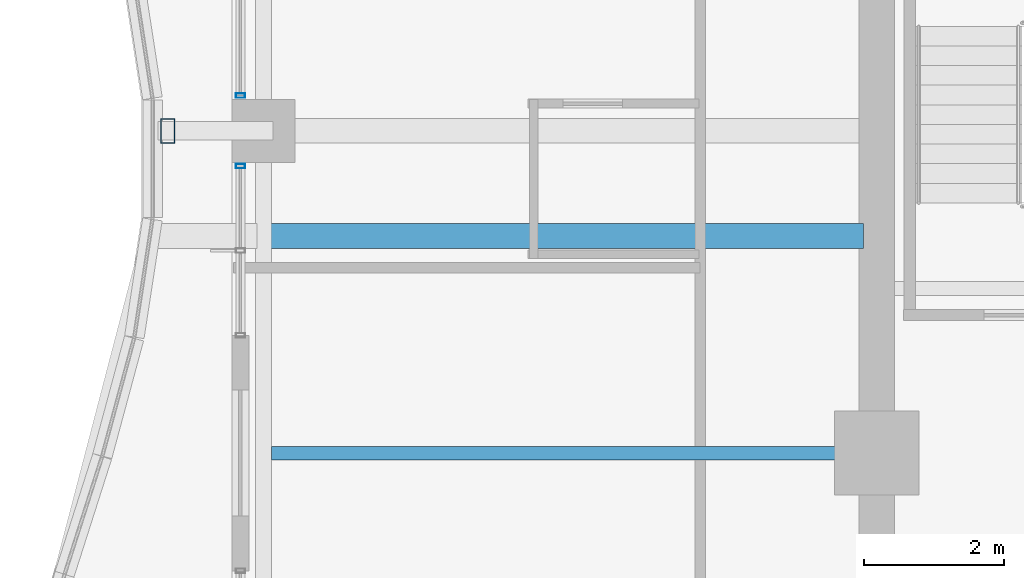
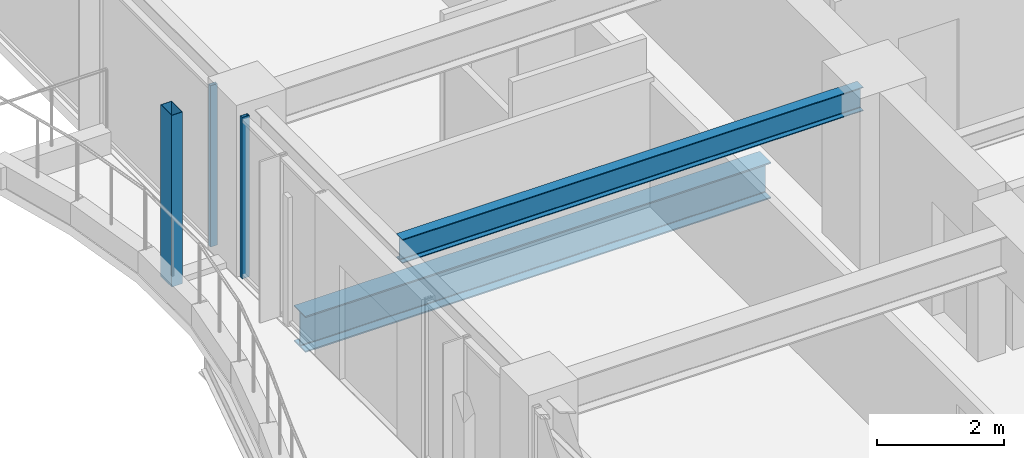
# One storey, part 11 of 35: 3 members, 2 beams, 2 elements without a shape of their own.
"""IFC4 building model written with IfcOpenShell, lengths in metres."""

from ifc_helpers import new_model, si_unit, direction, frame, origin, origin_2d, place, context, subcontext, project, spatial, hollow_rectangle, i_section, extrude, material, material_profile, profile_set, type_object, element, aggregate, save


model = new_model("IFC4")

# Units and contexts
model_context = context("Model", 3, precision=1e-05, world=origin(), true_north=direction((0.0, 1.0)))
body_context = subcontext(model_context, "Body", "Model", "MODEL_VIEW")
ifc_project = project(units=[si_unit("LENGTHUNIT", "METRE"), si_unit("AREAUNIT", "SQUARE_METRE"), si_unit("VOLUMEUNIT", "CUBIC_METRE"), si_unit("PLANEANGLEUNIT", "RADIAN"), si_unit("MASSUNIT", "GRAM", prefix="KILO")], contexts=[model_context])

# Site, building, storey
site_placement = place(None, origin())
site = spatial("IfcSite", under=ifc_project, at=site_placement, CompositionType="ELEMENT")
building_placement = place(site_placement, origin())
building = spatial("IfcBuilding", under=site, at=building_placement, Name="Kolvaren Belvedere", CompositionType="ELEMENT")
storey_placement = place(building_placement, frame((0.0, 0.0, 163.5)))
storey = spatial("IfcBuildingStorey", under=building, at=storey_placement, Name="L47", CompositionType="ELEMENT", Elevation=163.5)

# Beams
ifc_material_1 = material(Name="Structural steel ASTM A992 Grade 50", Category="steel")
ifc_material_profile_1 = material_profile(ifc_material_1, i_section(OverallWidth=0.35498046875, OverallDepth=0.696044921875, WebThickness=0.015380859375, FlangeThickness=0.02490234375, FilletRadius=0.02197265625, at=origin_2d()), Name="W27X146")
ifc_profile_set_1 = profile_set([ifc_material_profile_1], Name="Structural steel ASTM A992 Grade 50")
beam_type_1 = type_object("IfcBeamType", Name="BM-GIRD-W27X146", PredefinedType="BEAM", material=ifc_profile_set_1)
beam_1_placement = place(storey_placement, frame((-10.090087890625, 3.10009765625, -0.548095703125), z_axis=(-1.0, 0.0, 0.0), x_axis=(0.0, -1.0, 0.0)))
element("IfcBeam", 1, at=beam_1_placement, inside=storey, type_object=beam_type_1, Name="L47 Balcony Interior Back-Span Girder BAL-W-2", PredefinedType="BEAM", context=body_context, shape_type="SweptSolid", body=[
    extrude(i_section(OverallWidth=0.35498046875, OverallDepth=0.696044921875, WebThickness=0.015380859375, FlangeThickness=0.02490234375, FilletRadius=0.02197265625, at=origin_2d()), origin(), (0.0, 0.0, 1.0), 8.46484375),
])
ifc_material_2 = material(Name="Structural steel ASTM A992 Grade 50", Category="steel")
ifc_material_profile_2 = material_profile(ifc_material_2, i_section(OverallWidth=0.19091796875, OverallDepth=0.4599609375, WebThickness=0.010009765625, FlangeThickness=0.01611328125, FilletRadius=0.014892578125, at=origin_2d()), Name="W18X55")
ifc_profile_set_2 = profile_set([ifc_material_profile_2], Name="Structural steel ASTM A992 Grade 50")
beam_type_2 = type_object("IfcBeamType", Name="BM-JOIST-W18X55", PredefinedType="BEAM", material=ifc_profile_set_2)
beam_2_placement = place(storey_placement, frame((-10.14990234375, 0.0, 2.8701171875), z_axis=(-1.0, 0.0, 0.0), x_axis=(0.0, -1.0, 0.0)))
element("IfcBeam", 2, at=beam_2_placement, inside=storey, type_object=beam_type_2, Name="L47 West Centre Floor Beam", PredefinedType="BEAM", context=body_context, shape_type="SweptSolid", body=[
    extrude(i_section(OverallWidth=0.19091796875, OverallDepth=0.4599609375, WebThickness=0.010009765625, FlangeThickness=0.01611328125, FilletRadius=0.014892578125, at=origin_2d()), origin(), (0.0, 0.0, 1.0), 8.385498046875),
])

# Curtain wall, member
ifc_material_3 = material(Name="Anodised pale-metal aluminium AA 6063-T6", Category="aluminium")
curtain_wall_type = type_object("IfcCurtainWallType", Name="CW-Z3-WAIST", PredefinedType="NOTDEFINED", material=ifc_material_3)
curtain_wall_1_placement = place(storey_placement, origin())
curtain_wall_1 = element("IfcCurtainWall", 3, at=curtain_wall_1_placement, inside=storey, type_object=curtain_wall_type, Name="L47 Unitised Curtain Wall FCW-L47-W2-B1", PredefinedType="NOTDEFINED")
ifc_material_4 = material(Name="Anodised pale-metal aluminium AA 6063-T6", Category="aluminium")
ifc_material_profile_3 = material_profile(ifc_material_4, hollow_rectangle(XDim=0.06494140625, YDim=0.1298828125, WallThickness=0.00390625, at=origin_2d()), Name="ALU-MUL-130X65")
ifc_profile_set_3 = profile_set([ifc_material_profile_3], Name="Anodised pale-metal aluminium AA 6063-T6")
member_type_1 = type_object("IfcMemberType", Name="CW-MUL-130", PredefinedType="MULLION", material=ifc_profile_set_3)
member_1_placement = place(storey_placement, frame((-18.97998046875, 4.097412109375, 0.0), z_axis=(0.0, 0.0, 1.0), x_axis=(0.0, 1.0, 0.0)))
member_1 = element("IfcMember", 4, at=member_1_placement, type_object=member_type_1, Name="FCW-L47-W2-B1 Unitised Mullion 3", PredefinedType="MULLION", context=body_context, shape_type="SweptSolid", body=[
    extrude(hollow_rectangle(XDim=0.06494140625, YDim=0.1298828125, WallThickness=0.00390625, at=origin_2d()), origin(), (0.0, 0.0, 1.0), 3.10009765625),
])
aggregate(curtain_wall_1, [member_1])

curtain_wall_2_placement = place(storey_placement, origin())
curtain_wall_2 = element("IfcCurtainWall", 5, at=curtain_wall_2_placement, inside=storey, type_object=curtain_wall_type, Name="L47 Unitised Curtain Wall FCW-L47-W2-B2", PredefinedType="NOTDEFINED")
member_2_placement = place(storey_placement, frame((-18.97998046875, 5.1025390625, 0.0), z_axis=(0.0, 0.0, 1.0), x_axis=(0.0, 1.0, 0.0)))
member_2 = element("IfcMember", 6, at=member_2_placement, type_object=member_type_1, Name="FCW-L47-W2-B2 Unitised Mullion 1", PredefinedType="MULLION", context=body_context, shape_type="SweptSolid", body=[
    extrude(hollow_rectangle(XDim=0.06494140625, YDim=0.1298828125, WallThickness=0.00390625, at=origin_2d()), origin(), (0.0, 0.0, 1.0), 3.10009765625),
])
aggregate(curtain_wall_2, [member_2])

# Member
ifc_material_5 = material(Name="Anodised pale-metal aluminium AA 6063-T6", Category="aluminium")
ifc_material_profile_4 = material_profile(ifc_material_5, hollow_rectangle(XDim=0.199951171875, YDim=0.35009765625, WallThickness=0.007568359375, at=origin_2d()), Name="ALU-PF-350X200")
ifc_profile_set_4 = profile_set([ifc_material_profile_4], Name="Anodised pale-metal aluminium AA 6063-T6")
member_type_2 = type_object("IfcMemberType", Name="PF-FRAME-350", PredefinedType="USERDEFINED", material=ifc_profile_set_4)
member_3_placement = place(storey_placement, frame((-20.02001953125, 4.60009765625, 0.0), z_axis=(0.0, 0.0, 1.0), x_axis=(1.0, 0.0, 0.0)))
element("IfcMember", 7, at=member_3_placement, inside=storey, type_object=member_type_2, Name="L47 Outboard Picture-Frame Vertical W2", ObjectType="PICTURE FRAME FIN", PredefinedType="USERDEFINED", context=body_context, shape_type="SweptSolid", body=[
    extrude(hollow_rectangle(XDim=0.199951171875, YDim=0.35009765625, WallThickness=0.007568359375, at=origin_2d()), origin(), (0.0, 0.0, 1.0), 3.300048828125),
])

save(model, "model.ifc")
